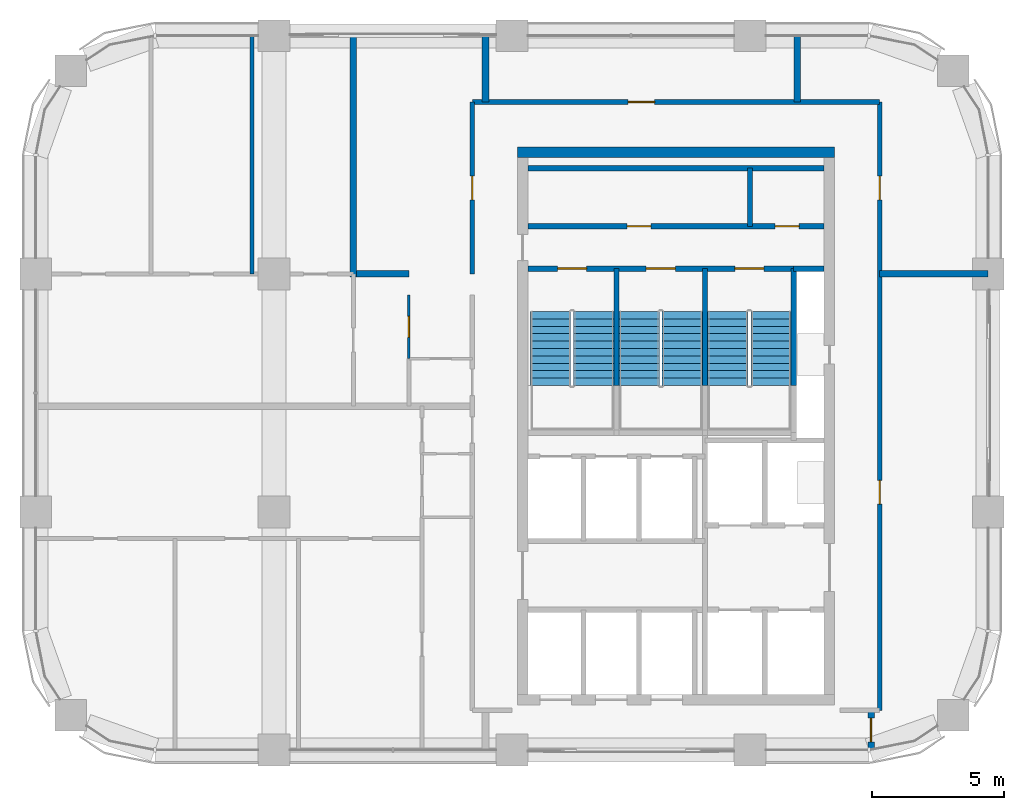
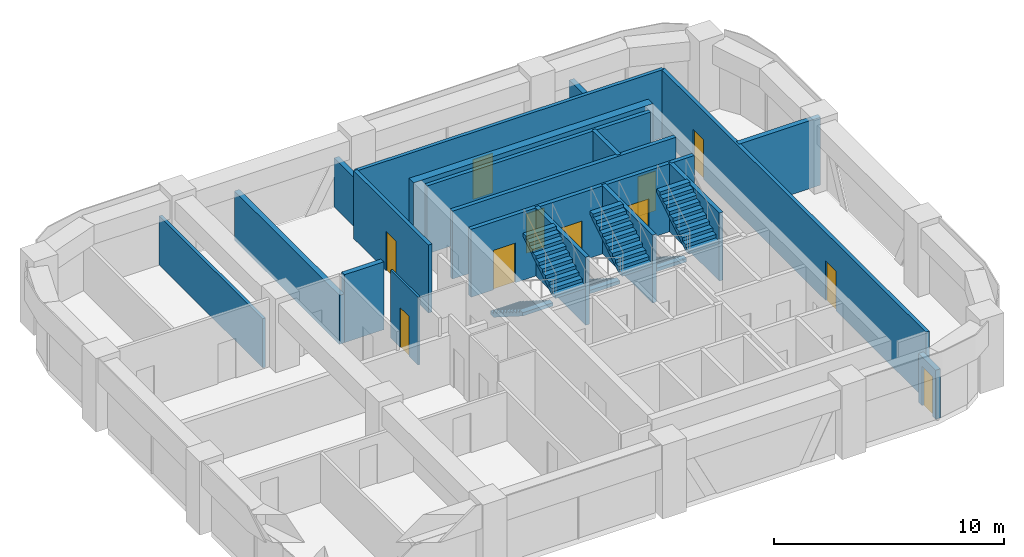
# One storey, part 8 of 9: 20 walls, 11 doors, 6 stair flights, 11 openings, 3 elements without a shape of their own.
"""IFC4 building model written with IfcOpenShell, lengths in metres."""

from ifc_helpers import new_model, si_unit, direction, frame, frame_2d, origin, place, context, subcontext, project, spatial, polyline, rectangle, outline, extrude, material, layer, layer_set, type_object, element, fill, aggregate, save


model = new_model("IFC4")

# Units and contexts
model_context = context("Model", 3, precision=1e-05, world=origin(), true_north=direction((0.0, 1.0)))
body_context = subcontext(model_context, "Body", "Model", "MODEL_VIEW")
ifc_project = project(units=[si_unit("LENGTHUNIT", "METRE"), si_unit("AREAUNIT", "SQUARE_METRE"), si_unit("VOLUMEUNIT", "CUBIC_METRE"), si_unit("PLANEANGLEUNIT", "RADIAN"), si_unit("MASSUNIT", "GRAM", prefix="KILO")], contexts=[model_context])

# Site, building, storey
site_placement = place(None, origin())
site = spatial("IfcSite", under=ifc_project, at=site_placement, CompositionType="ELEMENT")
building_placement = place(site_placement, origin())
building = spatial("IfcBuilding", under=site, at=building_placement, Name="Tessera Arch", CompositionType="ELEMENT")
storey_placement = place(building_placement, frame((0.0, 0.0, 246.199951171875)))
storey = spatial("IfcBuildingStorey", under=building, at=storey_placement, Name="L59", CompositionType="ELEMENT", Elevation=246.199951171875)

# Wall
ifc_material_1 = material(Name="Gypsum board on steel stud", Category="steel")
ifc_layer_1 = layer(ifc_material_1, 0.125)
ifc_layer_set_1 = layer_set([ifc_layer_1], Name="Core partition 125 EI 60")
wall_type_1 = type_object("IfcWallType", Name="Core partition 125 EI 60", PredefinedType="PARTITIONING", material=ifc_layer_set_1)
wall_1_placement = place(storey_placement, frame((45.0, 46.800048828125, 0.0), z_axis=(0.0, 0.0, 1.0), x_axis=(0.0, 1.0, 0.0)))
element("IfcWall", 1, at=wall_1_placement, inside=storey, type_object=wall_type_1, Name="L59 C1 partition wall 12", PredefinedType="PARTITIONING", context=body_context, shape_type="SweptSolid", body=[
    extrude(rectangle(XDim=2.199951171875, YDim=0.199951171875, at=frame_2d((1.10009765625, 0.0))), origin(), (0.0, 0.0, 1.0), 3.60009765625),
])

# Wall, openings, doors
wall_2_placement = place(storey_placement, frame((36.60009765625, 46.800048828125, 0.0), z_axis=(0.0, 0.0, 1.0), x_axis=(1.0, 0.0, 0.0)))
wall_2 = element("IfcWall", 2, at=wall_2_placement, inside=storey, type_object=wall_type_1, Name="L59 C1 partition wall 31", PredefinedType="PARTITIONING", context=body_context, shape_type="SweptSolid", body=[
    extrude(rectangle(XDim=11.199951171875, YDim=0.199951171875, at=frame_2d((5.60009765625, 0.0))), origin(), (0.0, 0.0, 1.0), 3.60009765625),
])
opening_1_placement = place(wall_2_placement, frame((3.75, 0.0, 0.0)))
opening_1 = element("IfcOpeningElement", 3, at=opening_1_placement, cuts=wall_2, Name="Opening L59-C18", PredefinedType="OPENING", context=body_context, shape_type="SweptSolid", body=[
    extrude(rectangle(XDim=0.89990234375, YDim=2.10009765625, at=frame_2d((0.449951171875, 1.050048828125))), frame((0.0, 0.10986328125, 0.0), z_axis=(0.0, -1.0, 0.0), x_axis=(1.0, 0.0, 0.0)), (0.0, 0.0, 1.0), 0.219970703125),
])
opening_2_placement = place(wall_2_placement, frame((9.35009765625, 0.0, 0.0)))
opening_2 = element("IfcOpeningElement", 4, at=opening_2_placement, cuts=wall_2, Name="Opening L59-C19", PredefinedType="OPENING", context=body_context, shape_type="SweptSolid", body=[
    extrude(rectangle(XDim=0.89990234375, YDim=2.10009765625, at=frame_2d((0.449951171875, 1.050048828125))), frame((0.0, 0.10986328125, 0.0), z_axis=(0.0, -1.0, 0.0), x_axis=(1.0, 0.0, 0.0)), (0.0, 0.0, 1.0), 0.219970703125),
])
ifc_material_2 = material(Name="Steel door leaf", Category="steel")
door_type_1 = type_object("IfcDoorType", Name="Store door FD30S 900 x 2100", OperationType="SINGLE_SWING_LEFT", PredefinedType="DOOR", material=ifc_material_2)
door_1_placement = place(opening_1_placement, origin())
door_1 = element("IfcDoor", 5, at=door_1_placement, inside=storey, type_object=door_type_1, Name="L59 C1 door 18 C18 type D09", OperationType="SINGLE_SWING_LEFT", OverallHeight=2.10009765625, OverallWidth=0.89990234375, PredefinedType="DOOR", context=body_context, shape_type="SweptSolid", body=[
    extrude(rectangle(XDim=0.89990234375, YDim=2.10009765625, at=frame_2d((0.449951171875, 1.050048828125))), frame((0.0, 0.02490234375, 0.0), z_axis=(0.0, -1.0, 0.0), x_axis=(1.0, 0.0, 0.0)), (0.0, 0.0, 1.0), 0.050048828125),
])
fill(opening_1, door_1)
door_2_placement = place(opening_2_placement, origin())
door_2 = element("IfcDoor", 6, at=door_2_placement, inside=storey, type_object=door_type_1, Name="L59 C1 door 19 C19 type D09", OperationType="SINGLE_SWING_RIGHT", OverallHeight=2.10009765625, OverallWidth=0.89990234375, PredefinedType="DOOR", context=body_context, shape_type="SweptSolid", body=[
    extrude(rectangle(XDim=0.89990234375, YDim=2.10009765625, at=frame_2d((0.449951171875, 1.050048828125))), frame((0.0, 0.02490234375, 0.0), z_axis=(0.0, -1.0, 0.0), x_axis=(1.0, 0.0, 0.0)), (0.0, 0.0, 1.0), 0.050048828125),
])
fill(opening_2, door_2)

# Walls
wall_3_placement = place(storey_placement, frame((36.60009765625, 49.0, 0.0), z_axis=(0.0, 0.0, 1.0), x_axis=(1.0, 0.0, 0.0)))
element("IfcWall", 7, at=wall_3_placement, inside=storey, type_object=wall_type_1, Name="L59 C1 partition wall 32", PredefinedType="PARTITIONING", context=body_context, shape_type="SweptSolid", body=[
    extrude(rectangle(XDim=11.199951171875, YDim=0.199951171875, at=frame_2d((5.60009765625, 0.0))), origin(), (0.0, 0.0, 1.0), 3.60009765625),
])
ifc_material_3 = material(Name="Concrete C50/60", Category="concrete")
ifc_layer_2 = layer(ifc_material_3, 0.39990234375)
ifc_layer_set_2 = layer_set([ifc_layer_2], Name="Core shell wall 400 C50-60")
wall_type_2 = type_object("IfcWallType", Name="Core shell wall 400 C50-60", PredefinedType="SHEAR", material=ifc_layer_set_2)
wall_4_placement = place(storey_placement, frame((36.199951171875, 49.60009765625, 0.0), z_axis=(0.0, 0.0, 1.0), x_axis=(1.0, 0.0, 0.0)))
element("IfcWall", 8, at=wall_4_placement, inside=storey, type_object=wall_type_2, Name="L59 C1 core wall N", PredefinedType="SHEAR", context=body_context, shape_type="SweptSolid", body=[
    extrude(rectangle(XDim=12.0, YDim=0.39990234375, at=frame_2d((6.0, 0.0))), origin(), (0.0, 0.0, 1.0), 3.60009765625),
])

# Wall, opening, door
ifc_material_4 = material(Name="Gypsum board on deep steel stud with mineral wool", Category="steel")
ifc_layer_3 = layer(ifc_material_4, 0.175048828125)
ifc_layer_set_3 = layer_set([ifc_layer_3], Name="Corridor wall 175 EI 60")
wall_type_3 = type_object("IfcWallType", Name="Corridor wall 175 EI 60", PredefinedType="PARTITIONING", material=ifc_layer_set_3)
wall_5_placement = place(storey_placement, frame((34.5, 51.5, 0.0), z_axis=(0.0, 0.0, 1.0), x_axis=(1.0, 0.0, 0.0)))
wall_5 = element("IfcWall", 9, at=wall_5_placement, inside=storey, type_object=wall_type_3, Name="L59 partition 3", PredefinedType="PARTITIONING", context=body_context, shape_type="SweptSolid", body=[
    extrude(rectangle(XDim=15.39990234375, YDim=0.175048828125, at=frame_2d((7.699951171875, 0.0))), origin(), (0.0, 0.0, 1.0), 3.60009765625),
])
opening_3_placement = place(wall_5_placement, frame((5.8916015625, 0.0, 0.0)))
opening_3 = element("IfcOpeningElement", 10, at=opening_3_placement, cuts=wall_5, Name="Opening L59-D019", PredefinedType="OPENING", context=body_context, shape_type="SweptSolid", body=[
    extrude(rectangle(XDim=1.0, YDim=2.10009765625, at=frame_2d((0.5, 1.050048828125))), frame((0.0, 0.097412109375, 0.0), z_axis=(0.0, -1.0, 0.0), x_axis=(1.0, 0.0, 0.0)), (0.0, 0.0, 1.0), 0.195068359375),
])
ifc_material_5 = material(Name="Fire-rated door leaf")
door_type_2 = type_object("IfcDoorType", Name="Entrance door FD30S 1000 x 2100", OperationType="SINGLE_SWING_LEFT", PredefinedType="DOOR", material=ifc_material_5)
door_3_placement = place(opening_3_placement, origin())
door_3 = element("IfcDoor", 11, at=door_3_placement, inside=storey, type_object=door_type_2, Name="L59 door D019 type D03", OperationType="SINGLE_SWING_LEFT", OverallHeight=2.10009765625, OverallWidth=1.0, PredefinedType="DOOR", context=body_context, shape_type="SweptSolid", body=[
    extrude(rectangle(XDim=1.0, YDim=2.10009765625, at=frame_2d((0.5, 1.050048828125))), frame((0.0, 0.02490234375, 0.0), z_axis=(0.0, -1.0, 0.0), x_axis=(1.0, 0.0, 0.0)), (0.0, 0.0, 1.0), 0.050048828125),
])
fill(opening_3, door_3)

wall_6_placement = place(storey_placement, frame((34.5, 45.0, 0.0), z_axis=(0.0, 0.0, 1.0), x_axis=(0.0, 1.0, 0.0)))
wall_6 = element("IfcWall", 12, at=wall_6_placement, inside=storey, type_object=wall_type_3, Name="L59 partition 5", PredefinedType="PARTITIONING", context=body_context, shape_type="SweptSolid", body=[
    extrude(rectangle(XDim=6.5, YDim=0.175048828125, at=frame_2d((3.25, 0.0))), origin(), (0.0, 0.0, 1.0), 3.60009765625),
])
opening_4_placement = place(wall_6_placement, frame((2.800048828125, 0.0, 0.0)))
opening_4 = element("IfcOpeningElement", 13, at=opening_4_placement, cuts=wall_6, Name="Opening L59-D017", PredefinedType="OPENING", context=body_context, shape_type="SweptSolid", body=[
    extrude(rectangle(XDim=0.89990234375, YDim=2.10009765625, at=frame_2d((0.449951171875, 1.050048828125))), frame((0.0, 0.097412109375, 0.0), z_axis=(0.0, -1.0, 0.0), x_axis=(1.0, 0.0, 0.0)), (0.0, 0.0, 1.0), 0.195068359375),
])
ifc_material_6 = material(Name="Timber door leaf", Category="wood")
door_type_3 = type_object("IfcDoorType", Name="Room door 900 x 2100", OperationType="SINGLE_SWING_LEFT", PredefinedType="DOOR", material=ifc_material_6)
door_4_placement = place(opening_4_placement, origin())
door_4 = element("IfcDoor", 14, at=door_4_placement, inside=storey, type_object=door_type_3, Name="L59 door D017 type D01", OperationType="SINGLE_SWING_LEFT", OverallHeight=2.10009765625, OverallWidth=0.89990234375, PredefinedType="DOOR", context=body_context, shape_type="SweptSolid", body=[
    extrude(rectangle(XDim=0.89990234375, YDim=2.10009765625, at=frame_2d((0.449951171875, 1.050048828125))), frame((0.0, 0.02490234375, 0.0), z_axis=(0.0, -1.0, 0.0), x_axis=(1.0, 0.0, 0.0)), (0.0, 0.0, 1.0), 0.050048828125),
])
fill(opening_4, door_4)

# Wall, openings, doors
wall_7_placement = place(storey_placement, frame((49.89990234375, 28.5, 0.0), z_axis=(0.0, 0.0, 1.0), x_axis=(0.0, 1.0, 0.0)))
wall_7 = element("IfcWall", 15, at=wall_7_placement, inside=storey, type_object=wall_type_3, Name="L59 partition 6", PredefinedType="PARTITIONING", context=body_context, shape_type="SweptSolid", body=[
    extrude(rectangle(XDim=23.0, YDim=0.175048828125, at=frame_2d((11.5, 0.0))), origin(), (0.0, 0.0, 1.0), 3.60009765625),
])
opening_5_placement = place(wall_7_placement, frame((7.800048828125, 0.0, 0.0)))
opening_5 = element("IfcOpeningElement", 16, at=opening_5_placement, cuts=wall_7, Name="Opening L59-D009", PredefinedType="OPENING", context=body_context, shape_type="SweptSolid", body=[
    extrude(rectangle(XDim=0.89990234375, YDim=2.10009765625, at=frame_2d((0.449951171875, 1.050048828125))), frame((0.0, 0.097412109375, 0.0), z_axis=(0.0, -1.0, 0.0), x_axis=(1.0, 0.0, 0.0)), (0.0, 0.0, 1.0), 0.195068359375),
])
opening_6_placement = place(wall_7_placement, frame((19.300048828125, 0.0, 0.0)))
opening_6 = element("IfcOpeningElement", 17, at=opening_6_placement, cuts=wall_7, Name="Opening L59-D018", PredefinedType="OPENING", context=body_context, shape_type="SweptSolid", body=[
    extrude(rectangle(XDim=0.89990234375, YDim=2.10009765625, at=frame_2d((0.449951171875, 1.050048828125))), frame((0.0, 0.097412109375, 0.0), z_axis=(0.0, -1.0, 0.0), x_axis=(1.0, 0.0, 0.0)), (0.0, 0.0, 1.0), 0.195068359375),
])
door_5_placement = place(opening_5_placement, origin())
door_5 = element("IfcDoor", 18, at=door_5_placement, inside=storey, type_object=door_type_3, Name="L59 door D009 type D01", OperationType="SINGLE_SWING_RIGHT", OverallHeight=2.10009765625, OverallWidth=0.89990234375, PredefinedType="DOOR", context=body_context, shape_type="SweptSolid", body=[
    extrude(rectangle(XDim=0.89990234375, YDim=2.10009765625, at=frame_2d((0.449951171875, 1.050048828125))), frame((0.0, 0.02490234375, 0.0), z_axis=(0.0, -1.0, 0.0), x_axis=(1.0, 0.0, 0.0)), (0.0, 0.0, 1.0), 0.050048828125),
])
fill(opening_5, door_5)
door_6_placement = place(opening_6_placement, origin())
door_6 = element("IfcDoor", 19, at=door_6_placement, inside=storey, type_object=door_type_3, Name="L59 door D018 type D01", OperationType="SINGLE_SWING_LEFT", OverallHeight=2.10009765625, OverallWidth=0.89990234375, PredefinedType="DOOR", context=body_context, shape_type="SweptSolid", body=[
    extrude(rectangle(XDim=0.89990234375, YDim=2.10009765625, at=frame_2d((0.449951171875, 1.050048828125))), frame((0.0, 0.02490234375, 0.0), z_axis=(0.0, -1.0, 0.0), x_axis=(1.0, 0.0, 0.0)), (0.0, 0.0, 1.0), 0.050048828125),
])
fill(opening_6, door_6)

# Walls
ifc_material_7 = material(Name="Gypsum board on steel stud", Category="steel")
ifc_layer_4 = layer(ifc_material_7, 0.14990234375)
ifc_layer_set_4 = layer_set([ifc_layer_4], Name="Partition 150")
wall_type_4 = type_object("IfcWallType", Name="Partition 150", PredefinedType="PARTITIONING", material=ifc_layer_set_4)
wall_8_placement = place(storey_placement, frame((26.176025390625, 45.0, 0.0), z_axis=(0.0, 0.0, 1.0), x_axis=(0.0, 1.0, 0.0)))
element("IfcWall", 20, at=wall_8_placement, inside=storey, type_object=wall_type_4, Name="L59 partition 11", PredefinedType="PARTITIONING", context=body_context, shape_type="SweptSolid", body=[
    extrude(rectangle(XDim=9.0, YDim=0.14990234375, at=frame_2d((4.5, 0.0))), origin(), (0.0, 0.0, 1.0), 2.60009765625),
])
ifc_material_8 = material(Name="Double gypsum board on twin steel stud with acoustic mineral wool", Category="steel")
ifc_layer_5 = layer(ifc_material_8, 0.25)
ifc_layer_set_5 = layer_set([ifc_layer_5], Name="Party wall 250 EI 60")
wall_type_5 = type_object("IfcWallType", Name="Party wall 250 EI 60", PredefinedType="PARTITIONING", material=ifc_layer_set_5)
wall_9_placement = place(storey_placement, frame((30.125, 45.0, 0.0), z_axis=(0.0, 0.0, 1.0), x_axis=(1.0, 0.0, 0.0)))
element("IfcWall", 21, at=wall_9_placement, inside=storey, type_object=wall_type_5, Name="L59 partition 18", PredefinedType="PARTITIONING", context=body_context, shape_type="SweptSolid", body=[
    extrude(rectangle(XDim=1.97509765625, YDim=0.25, at=frame_2d((0.987548828125, 0.0))), origin(), (0.0, 0.0, 1.0), 3.60009765625),
])
wall_10_placement = place(storey_placement, frame((49.89990234375, 45.0, 0.0), z_axis=(0.0, 0.0, 1.0), x_axis=(1.0, 0.0, 0.0)))
element("IfcWall", 22, at=wall_10_placement, inside=storey, type_object=wall_type_5, Name="L59 partition 19", PredefinedType="PARTITIONING", context=body_context, shape_type="SweptSolid", body=[
    extrude(rectangle(XDim=4.10009765625, YDim=0.25, at=frame_2d((2.050048828125, 0.0))), origin(), (0.0, 0.0, 1.0), 3.60009765625),
])
wall_11_placement = place(storey_placement, frame((30.0, 44.875, 0.0), z_axis=(0.0, 0.0, 1.0), x_axis=(0.0, 1.0, 0.0)))
element("IfcWall", 23, at=wall_11_placement, inside=storey, type_object=wall_type_5, Name="L59 partition 20", PredefinedType="PARTITIONING", context=body_context, shape_type="SweptSolid", body=[
    extrude(rectangle(XDim=9.125, YDim=0.25, at=frame_2d((4.5625, 0.0))), origin(), (0.0, 0.0, 1.0), 2.60009765625),
])
for number, where, z_axis, x_axis, name in (
    (24, (35.0, 51.5, 0.0), (0.0, 0.0, 1.0), (0.0, 1.0, 0.0), "L59 partition 22"),
    (25, (46.782958984375, 51.5, 0.0), (0.0, 0.0, 1.0), (0.0, 1.0, 0.0), "L59 partition 23"),
):
    element("IfcWall", number, at=place(storey_placement, frame(where, z_axis=z_axis, x_axis=x_axis)), inside=storey, type_object=wall_type_5, Name=name, PredefinedType="PARTITIONING", context=body_context, shape_type="SweptSolid", body=[
        extrude(rectangle(XDim=2.5, YDim=0.25, at=frame_2d((1.25, 0.0))), origin(), (0.0, 0.0, 1.0), 2.60009765625),
    ])

# Wall, opening, door
wall_12_placement = place(storey_placement, frame((49.574951171875, 27.014892578125, 0.0), z_axis=(0.0, 0.0, 1.0), x_axis=(0.0, 1.0, 0.0)))
wall_12 = element("IfcWall", 26, at=wall_12_placement, inside=storey, type_object=wall_type_5, Name="L59 partition 24", PredefinedType="PARTITIONING", context=body_context, shape_type="SweptSolid", body=[
    extrude(rectangle(XDim=1.485107421875, YDim=0.25, at=frame_2d((0.74267578125, 0.0))), origin(), (0.0, 0.0, 1.0), 2.60009765625),
])
opening_7_placement = place(wall_12_placement, frame((0.29248046875, 0.0, 0.0)))
opening_7 = element("IfcOpeningElement", 27, at=opening_7_placement, cuts=wall_12, Name="Opening L59-D020", PredefinedType="OPENING", context=body_context, shape_type="SweptSolid", body=[
    extrude(rectangle(XDim=0.89990234375, YDim=2.10009765625, at=frame_2d((0.449951171875, 1.050048828125))), frame((0.0, 0.135009765625, 0.0), z_axis=(0.0, -1.0, 0.0), x_axis=(1.0, 0.0, 0.0)), (0.0, 0.0, 1.0), 0.27001953125),
])
door_7_placement = place(opening_7_placement, origin())
door_7 = element("IfcDoor", 28, at=door_7_placement, inside=storey, type_object=door_type_3, Name="L59 door D020 type D01", OperationType="SINGLE_SWING_RIGHT", OverallHeight=2.10009765625, OverallWidth=0.89990234375, PredefinedType="DOOR", context=body_context, shape_type="SweptSolid", body=[
    extrude(rectangle(XDim=0.89990234375, YDim=2.10009765625, at=frame_2d((0.449951171875, 1.050048828125))), frame((0.0, 0.02490234375, 0.0), z_axis=(0.0, -1.0, 0.0), x_axis=(1.0, 0.0, 0.0)), (0.0, 0.0, 1.0), 0.050048828125),
])
fill(opening_7, door_7)

# Walls
ifc_material_9 = material(Name="Concrete C40/50", Category="concrete")
ifc_layer_6 = layer(ifc_material_9, 0.199951171875)
ifc_layer_set_6 = layer_set([ifc_layer_6], Name="Shaft wall 200 EI 120")
wall_type_6 = type_object("IfcWallType", Name="Shaft wall 200 EI 120", PredefinedType="SOLIDWALL", material=ifc_layer_set_6)
wall_13_placement = place(storey_placement, frame((46.64990234375, 45.199951171875, 0.0), z_axis=(0.0, 0.0, 1.0), x_axis=(1.0, 0.0, 0.0)))
element("IfcWall", 29, at=wall_13_placement, inside=storey, type_object=wall_type_6, Name="L59 C1 shaft wall 29", PredefinedType="SOLIDWALL", context=body_context, shape_type="SweptSolid", body=[
    extrude(rectangle(XDim=1.150146484375, YDim=0.199951171875, at=frame_2d((0.5751953125, 0.0))), origin(), (0.0, 0.0, 1.0), 3.60009765625),
])
ifc_material_10 = material(Name="Concrete C40/50", Category="concrete")
ifc_layer_7 = layer(ifc_material_10, 0.199951171875)
ifc_layer_set_7 = layer_set([ifc_layer_7], Name="Stair well wall 200 REI 180")
wall_type_7 = type_object("IfcWallType", Name="Stair well wall 200 REI 180", PredefinedType="SOLIDWALL", material=ifc_layer_set_7)
for number, where, z_axis, x_axis, name in (
    (30, (39.949951171875, 40.780029296875, 0.0), (0.0, 0.0, 1.0), (0.0, 1.0, 0.0), "L59 C1 shaft wall 4"),
    (31, (43.300048828125, 40.780029296875, 0.0), (0.0, 0.0, 1.0), (0.0, 1.0, 0.0), "L59 C1 shaft wall 11"),
    (32, (46.64990234375, 40.780029296875, 0.0), (0.0, 0.0, 1.0), (0.0, 1.0, 0.0), "L59 C1 shaft wall 17"),
):
    element("IfcWall", number, at=place(storey_placement, frame(where, z_axis=z_axis, x_axis=x_axis)), inside=storey, type_object=wall_type_7, Name=name, PredefinedType="SOLIDWALL", context=body_context, shape_type="SweptSolid", body=[
        extrude(rectangle(XDim=4.419921875, YDim=0.199951171875, at=frame_2d((2.2099609375, 0.0))), origin(), (0.0, 0.0, 1.0), 3.60009765625),
    ])

# Wall, openings, doors
wall_14_placement = place(storey_placement, frame((36.60009765625, 45.199951171875, 0.0), z_axis=(0.0, 0.0, 1.0), x_axis=(1.0, 0.0, 0.0)))
wall_14 = element("IfcWall", 33, at=wall_14_placement, inside=storey, type_object=wall_type_7, Name="L59 C1 shaft wall 30", PredefinedType="SOLIDWALL", context=body_context, shape_type="SweptSolid", body=[
    extrude(rectangle(XDim=10.0498046875, YDim=0.199951171875, at=frame_2d((5.02490234375, 0.0))), origin(), (0.0, 0.0, 1.0), 3.60009765625),
])
opening_8_placement = place(wall_14_placement, frame((1.125, 0.0, 0.0)))
opening_8 = element("IfcOpeningElement", 34, at=opening_8_placement, cuts=wall_14, Name="Opening L59-C11", PredefinedType="OPENING", context=body_context, shape_type="SweptSolid", body=[
    extrude(rectangle(XDim=1.10009765625, YDim=2.10009765625, at=frame_2d((0.550048828125, 1.050048828125))), frame((0.0, 0.10986328125, 0.0), z_axis=(0.0, -1.0, 0.0), x_axis=(1.0, 0.0, 0.0)), (0.0, 0.0, 1.0), 0.219970703125),
])
opening_9_placement = place(wall_14_placement, frame((4.47509765625, 0.0, 0.0)))
opening_9 = element("IfcOpeningElement", 35, at=opening_9_placement, cuts=wall_14, Name="Opening L59-C12", PredefinedType="OPENING", context=body_context, shape_type="SweptSolid", body=[
    extrude(rectangle(XDim=1.10009765625, YDim=2.10009765625, at=frame_2d((0.550048828125, 1.050048828125))), frame((0.0, 0.10986328125, 0.0), z_axis=(0.0, -1.0, 0.0), x_axis=(1.0, 0.0, 0.0)), (0.0, 0.0, 1.0), 0.219970703125),
])
opening_10_placement = place(wall_14_placement, frame((7.824951171875, 0.0, 0.0)))
opening_10 = element("IfcOpeningElement", 36, at=opening_10_placement, cuts=wall_14, Name="Opening L59-C13", PredefinedType="OPENING", context=body_context, shape_type="SweptSolid", body=[
    extrude(rectangle(XDim=1.10009765625, YDim=2.10009765625, at=frame_2d((0.550048828125, 1.050048828125))), frame((0.0, 0.10986328125, 0.0), z_axis=(0.0, -1.0, 0.0), x_axis=(1.0, 0.0, 0.0)), (0.0, 0.0, 1.0), 0.219970703125),
])
ifc_material_11 = material(Name="Steel door leaf", Category="steel")
door_type_4 = type_object("IfcDoorType", Name="Stair door FD60 1100 x 2100", OperationType="SINGLE_SWING_LEFT", PredefinedType="DOOR", material=ifc_material_11)
door_8_placement = place(opening_8_placement, origin())
door_8 = element("IfcDoor", 37, at=door_8_placement, inside=storey, type_object=door_type_4, Name="L59 C1 door 11 C11 type D05", OperationType="SINGLE_SWING_LEFT", OverallHeight=2.10009765625, OverallWidth=1.10009765625, PredefinedType="DOOR", context=body_context, shape_type="SweptSolid", body=[
    extrude(rectangle(XDim=1.10009765625, YDim=2.10009765625, at=frame_2d((0.550048828125, 1.050048828125))), frame((0.0, 0.02490234375, 0.0), z_axis=(0.0, -1.0, 0.0), x_axis=(1.0, 0.0, 0.0)), (0.0, 0.0, 1.0), 0.050048828125),
])
fill(opening_8, door_8)
door_9_placement = place(opening_9_placement, origin())
door_9 = element("IfcDoor", 38, at=door_9_placement, inside=storey, type_object=door_type_4, Name="L59 C1 door 12 C12 type D05", OperationType="SINGLE_SWING_RIGHT", OverallHeight=2.10009765625, OverallWidth=1.10009765625, PredefinedType="DOOR", context=body_context, shape_type="SweptSolid", body=[
    extrude(rectangle(XDim=1.10009765625, YDim=2.10009765625, at=frame_2d((0.550048828125, 1.050048828125))), frame((0.0, 0.02490234375, 0.0), z_axis=(0.0, -1.0, 0.0), x_axis=(1.0, 0.0, 0.0)), (0.0, 0.0, 1.0), 0.050048828125),
])
fill(opening_9, door_9)
door_10_placement = place(opening_10_placement, origin())
door_10 = element("IfcDoor", 39, at=door_10_placement, inside=storey, type_object=door_type_4, Name="L59 C1 door 13 C13 type D05", OperationType="SINGLE_SWING_RIGHT", OverallHeight=2.10009765625, OverallWidth=1.10009765625, PredefinedType="DOOR", context=body_context, shape_type="SweptSolid", body=[
    extrude(rectangle(XDim=1.10009765625, YDim=2.10009765625, at=frame_2d((0.550048828125, 1.050048828125))), frame((0.0, 0.02490234375, 0.0), z_axis=(0.0, -1.0, 0.0), x_axis=(1.0, 0.0, 0.0)), (0.0, 0.0, 1.0), 0.050048828125),
])
fill(opening_10, door_10)

# Wall, opening, door
ifc_material_12 = material(Name="Moisture-resistant board on pre-plumbed steel stud", Category="steel")
ifc_layer_8 = layer(ifc_material_12, 0.10009765625)
ifc_layer_set_8 = layer_set([ifc_layer_8], Name="Wet wall 100")
wall_type_8 = type_object("IfcWallType", Name="Wet wall 100", PredefinedType="PARTITIONING", material=ifc_layer_set_8)
wall_15_placement = place(storey_placement, frame((32.10009765625, 41.800048828125, 0.0), z_axis=(0.0, 0.0, 1.0), x_axis=(0.0, 1.0, 0.0)))
wall_15 = element("IfcWall", 40, at=wall_15_placement, inside=storey, type_object=wall_type_8, Name="L59 partition 28", PredefinedType="PARTITIONING", context=body_context, shape_type="SweptSolid", body=[
    extrude(rectangle(XDim=2.39990234375, YDim=0.10009765625, at=frame_2d((1.199951171875, 0.0))), origin(), (0.0, 0.0, 1.0), 3.60009765625),
])
opening_11_placement = place(wall_15_placement, frame((0.800048828125, 0.0, 0.0)))
opening_11 = element("IfcOpeningElement", 41, at=opening_11_placement, cuts=wall_15, Name="Opening L59-D012", PredefinedType="OPENING", context=body_context, shape_type="SweptSolid", body=[
    extrude(rectangle(XDim=0.800048828125, YDim=2.10009765625, at=frame_2d((0.39990234375, 1.050048828125))), frame((0.0, 0.06005859375, 0.0), z_axis=(0.0, -1.0, 0.0), x_axis=(1.0, 0.0, 0.0)), (0.0, 0.0, 1.0), 0.1201171875),
])
ifc_material_13 = material(Name="Timber door leaf", Category="wood")
door_type_5 = type_object("IfcDoorType", Name="En-suite door 800 x 2100", OperationType="SINGLE_SWING_LEFT", PredefinedType="DOOR", material=ifc_material_13)
door_11_placement = place(opening_11_placement, origin())
door_11 = element("IfcDoor", 42, at=door_11_placement, inside=storey, type_object=door_type_5, Name="L59 door D012 type D02", OperationType="SINGLE_SWING_RIGHT", OverallHeight=2.10009765625, OverallWidth=0.800048828125, PredefinedType="DOOR", context=body_context, shape_type="SweptSolid", body=[
    extrude(rectangle(XDim=0.800048828125, YDim=2.10009765625, at=frame_2d((0.39990234375, 1.050048828125))), frame((0.0, 0.02490234375, 0.0), z_axis=(0.0, -1.0, 0.0), x_axis=(1.0, 0.0, 0.0)), (0.0, 0.0, 1.0), 0.050048828125),
])
fill(opening_11, door_11)

# Stair, stair flights
ifc_material_14 = material(Name="Concrete C40/50", Category="concrete")
stair_type = type_object("IfcStairType", Name="Dogleg stair 1520", PredefinedType="HALF_TURN_STAIR", material=ifc_material_14)
stair_1_placement = place(storey_placement, origin())
stair_1 = element("IfcStair", 43, at=stair_1_placement, inside=storey, type_object=stair_type, Name="L59 S1a", PredefinedType="HALF_TURN_STAIR")
ifc_material_15 = material(Name="Concrete C40/50", Category="concrete")
stair_flight_type = type_object("IfcStairFlightType", Name="Stair flight 1520", PredefinedType="STRAIGHT", material=ifc_material_15)
stair_flight_1_placement = place(storey_placement, frame((37.4599609375, 43.580078125, 0.0), z_axis=(0.0, 0.0, 1.0), x_axis=(0.0, -1.0, 0.0)))
stair_flight_1 = element("IfcStairFlight", 44, at=stair_flight_1_placement, type_object=stair_flight_type, Name="S1a flight 1", NumberOfRisers=11, NumberOfTreads=10, PredefinedType="STRAIGHT", RiserHeight=0.177272727, TreadLength=0.28, context=body_context, shape_type="SweptSolid", body=[
    extrude(outline(polyline([(0.0, 0.0), (0.0, 0.17724609375), (0.280029296875, 0.17724609375), (0.280029296875, 0.3544921875), (0.56005859375, 0.3544921875), (0.56005859375, 0.53173828125), (0.840087890625, 0.53173828125), (0.840087890625, 0.708984375), (1.1201171875, 0.708984375), (1.1201171875, 0.886474609375), (1.39990234375, 0.886474609375), (1.39990234375, 1.063720703125), (1.679931640625, 1.063720703125), (1.679931640625, 1.240966796875), (1.9599609375, 1.240966796875), (1.9599609375, 1.418212890625), (2.239990234375, 1.418212890625), (2.239990234375, 1.595458984375), (2.52001953125, 1.595458984375), (2.52001953125, 1.772705078125), (2.800048828125, 1.772705078125), (2.800048828125, 1.949951171875), (2.800048828125, 1.59521484375), (0.2802734375, 0.0), (0.0, 0.0)])), frame((0.0, 0.760009765625, 0.0), z_axis=(0.0, -1.0, 0.0), x_axis=(1.0, 0.0, 0.0)), (0.0, 0.0, 1.0), 1.52001953125),
])
stair_flight_2_placement = place(storey_placement, frame((39.090087890625, 40.780029296875, 1.949951171875), z_axis=(0.0, 0.0, 1.0), x_axis=(0.0, 1.0, 0.0)))
stair_flight_2 = element("IfcStairFlight", 45, at=stair_flight_2_placement, type_object=stair_flight_type, Name="S1a flight 2", NumberOfRisers=11, NumberOfTreads=10, PredefinedType="STRAIGHT", RiserHeight=0.177272727, TreadLength=0.28, context=body_context, shape_type="SweptSolid", body=[
    extrude(outline(polyline([(0.0, 0.0), (0.0, 0.17724609375), (0.280029296875, 0.17724609375), (0.280029296875, 0.3544921875), (0.56005859375, 0.3544921875), (0.56005859375, 0.53173828125), (0.840087890625, 0.53173828125), (0.840087890625, 0.708984375), (1.1201171875, 0.708984375), (1.1201171875, 0.886474609375), (1.39990234375, 0.886474609375), (1.39990234375, 1.063720703125), (1.679931640625, 1.063720703125), (1.679931640625, 1.240966796875), (1.9599609375, 1.240966796875), (1.9599609375, 1.418212890625), (2.239990234375, 1.418212890625), (2.239990234375, 1.595458984375), (2.52001953125, 1.595458984375), (2.52001953125, 1.772705078125), (2.800048828125, 1.772705078125), (2.800048828125, 1.949951171875), (2.800048828125, 1.59521484375), (0.2802734375, 0.0), (0.0, 0.0)])), frame((0.0, 0.760009765625, 0.0), z_axis=(0.0, -1.0, 0.0), x_axis=(1.0, 0.0, 0.0)), (0.0, 0.0, 1.0), 1.52001953125),
])
aggregate(stair_1, [stair_flight_1, stair_flight_2])

stair_2_placement = place(storey_placement, origin())
stair_2 = element("IfcStair", 46, at=stair_2_placement, inside=storey, type_object=stair_type, Name="L59 S1b", PredefinedType="HALF_TURN_STAIR")
stair_flight_3_placement = place(storey_placement, frame((40.81005859375, 43.580078125, 0.0), z_axis=(0.0, 0.0, 1.0), x_axis=(0.0, -1.0, 0.0)))
stair_flight_3 = element("IfcStairFlight", 47, at=stair_flight_3_placement, type_object=stair_flight_type, Name="S1b flight 1", NumberOfRisers=11, NumberOfTreads=10, PredefinedType="STRAIGHT", RiserHeight=0.177272727, TreadLength=0.28, context=body_context, shape_type="SweptSolid", body=[
    extrude(outline(polyline([(0.0, 0.0), (0.0, 0.17724609375), (0.280029296875, 0.17724609375), (0.280029296875, 0.3544921875), (0.56005859375, 0.3544921875), (0.56005859375, 0.53173828125), (0.840087890625, 0.53173828125), (0.840087890625, 0.708984375), (1.1201171875, 0.708984375), (1.1201171875, 0.886474609375), (1.39990234375, 0.886474609375), (1.39990234375, 1.063720703125), (1.679931640625, 1.063720703125), (1.679931640625, 1.240966796875), (1.9599609375, 1.240966796875), (1.9599609375, 1.418212890625), (2.239990234375, 1.418212890625), (2.239990234375, 1.595458984375), (2.52001953125, 1.595458984375), (2.52001953125, 1.772705078125), (2.800048828125, 1.772705078125), (2.800048828125, 1.949951171875), (2.800048828125, 1.59521484375), (0.2802734375, 0.0), (0.0, 0.0)])), frame((0.0, 0.760009765625, 0.0), z_axis=(0.0, -1.0, 0.0), x_axis=(1.0, 0.0, 0.0)), (0.0, 0.0, 1.0), 1.52001953125),
])
stair_flight_4_placement = place(storey_placement, frame((42.43994140625, 40.780029296875, 1.949951171875), z_axis=(0.0, 0.0, 1.0), x_axis=(0.0, 1.0, 0.0)))
stair_flight_4 = element("IfcStairFlight", 48, at=stair_flight_4_placement, type_object=stair_flight_type, Name="S1b flight 2", NumberOfRisers=11, NumberOfTreads=10, PredefinedType="STRAIGHT", RiserHeight=0.177272727, TreadLength=0.28, context=body_context, shape_type="SweptSolid", body=[
    extrude(outline(polyline([(0.0, 0.0), (0.0, 0.17724609375), (0.280029296875, 0.17724609375), (0.280029296875, 0.3544921875), (0.56005859375, 0.3544921875), (0.56005859375, 0.53173828125), (0.840087890625, 0.53173828125), (0.840087890625, 0.708984375), (1.1201171875, 0.708984375), (1.1201171875, 0.886474609375), (1.39990234375, 0.886474609375), (1.39990234375, 1.063720703125), (1.679931640625, 1.063720703125), (1.679931640625, 1.240966796875), (1.9599609375, 1.240966796875), (1.9599609375, 1.418212890625), (2.239990234375, 1.418212890625), (2.239990234375, 1.595458984375), (2.52001953125, 1.595458984375), (2.52001953125, 1.772705078125), (2.800048828125, 1.772705078125), (2.800048828125, 1.949951171875), (2.800048828125, 1.59521484375), (0.2802734375, 0.0), (0.0, 0.0)])), frame((0.0, 0.760009765625, 0.0), z_axis=(0.0, -1.0, 0.0), x_axis=(1.0, 0.0, 0.0)), (0.0, 0.0, 1.0), 1.52001953125),
])
aggregate(stair_2, [stair_flight_3, stair_flight_4])

stair_3_placement = place(storey_placement, origin())
stair_3 = element("IfcStair", 49, at=stair_3_placement, inside=storey, type_object=stair_type, Name="L59 S1c", PredefinedType="HALF_TURN_STAIR")
stair_flight_5_placement = place(storey_placement, frame((44.159912109375, 43.580078125, 0.0), z_axis=(0.0, 0.0, 1.0), x_axis=(0.0, -1.0, 0.0)))
stair_flight_5 = element("IfcStairFlight", 50, at=stair_flight_5_placement, type_object=stair_flight_type, Name="S1c flight 1", NumberOfRisers=11, NumberOfTreads=10, PredefinedType="STRAIGHT", RiserHeight=0.177272727, TreadLength=0.28, context=body_context, shape_type="SweptSolid", body=[
    extrude(outline(polyline([(0.0, 0.0), (0.0, 0.17724609375), (0.280029296875, 0.17724609375), (0.280029296875, 0.3544921875), (0.56005859375, 0.3544921875), (0.56005859375, 0.53173828125), (0.840087890625, 0.53173828125), (0.840087890625, 0.708984375), (1.1201171875, 0.708984375), (1.1201171875, 0.886474609375), (1.39990234375, 0.886474609375), (1.39990234375, 1.063720703125), (1.679931640625, 1.063720703125), (1.679931640625, 1.240966796875), (1.9599609375, 1.240966796875), (1.9599609375, 1.418212890625), (2.239990234375, 1.418212890625), (2.239990234375, 1.595458984375), (2.52001953125, 1.595458984375), (2.52001953125, 1.772705078125), (2.800048828125, 1.772705078125), (2.800048828125, 1.949951171875), (2.800048828125, 1.59521484375), (0.2802734375, 0.0), (0.0, 0.0)])), frame((0.0, 0.760009765625, 0.0), z_axis=(0.0, -1.0, 0.0), x_axis=(1.0, 0.0, 0.0)), (0.0, 0.0, 1.0), 1.52001953125),
])
stair_flight_6_placement = place(storey_placement, frame((45.7900390625, 40.780029296875, 1.949951171875), z_axis=(0.0, 0.0, 1.0), x_axis=(0.0, 1.0, 0.0)))
stair_flight_6 = element("IfcStairFlight", 51, at=stair_flight_6_placement, type_object=stair_flight_type, Name="S1c flight 2", NumberOfRisers=11, NumberOfTreads=10, PredefinedType="STRAIGHT", RiserHeight=0.177272727, TreadLength=0.28, context=body_context, shape_type="SweptSolid", body=[
    extrude(outline(polyline([(0.0, 0.0), (0.0, 0.17724609375), (0.280029296875, 0.17724609375), (0.280029296875, 0.3544921875), (0.56005859375, 0.3544921875), (0.56005859375, 0.53173828125), (0.840087890625, 0.53173828125), (0.840087890625, 0.708984375), (1.1201171875, 0.708984375), (1.1201171875, 0.886474609375), (1.39990234375, 0.886474609375), (1.39990234375, 1.063720703125), (1.679931640625, 1.063720703125), (1.679931640625, 1.240966796875), (1.9599609375, 1.240966796875), (1.9599609375, 1.418212890625), (2.239990234375, 1.418212890625), (2.239990234375, 1.595458984375), (2.52001953125, 1.595458984375), (2.52001953125, 1.772705078125), (2.800048828125, 1.772705078125), (2.800048828125, 1.949951171875), (2.800048828125, 1.59521484375), (0.2802734375, 0.0), (0.0, 0.0)])), frame((0.0, 0.760009765625, 0.0), z_axis=(0.0, -1.0, 0.0), x_axis=(1.0, 0.0, 0.0)), (0.0, 0.0, 1.0), 1.52001953125),
])
aggregate(stair_3, [stair_flight_5, stair_flight_6])

save(model, "model.ifc")
